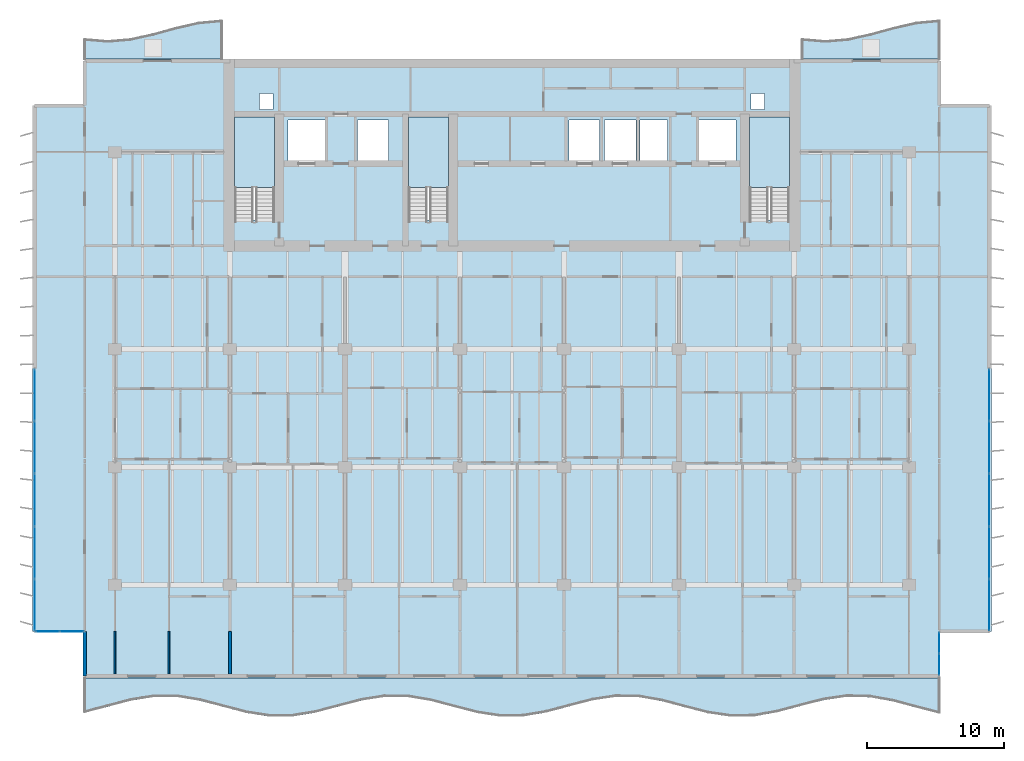
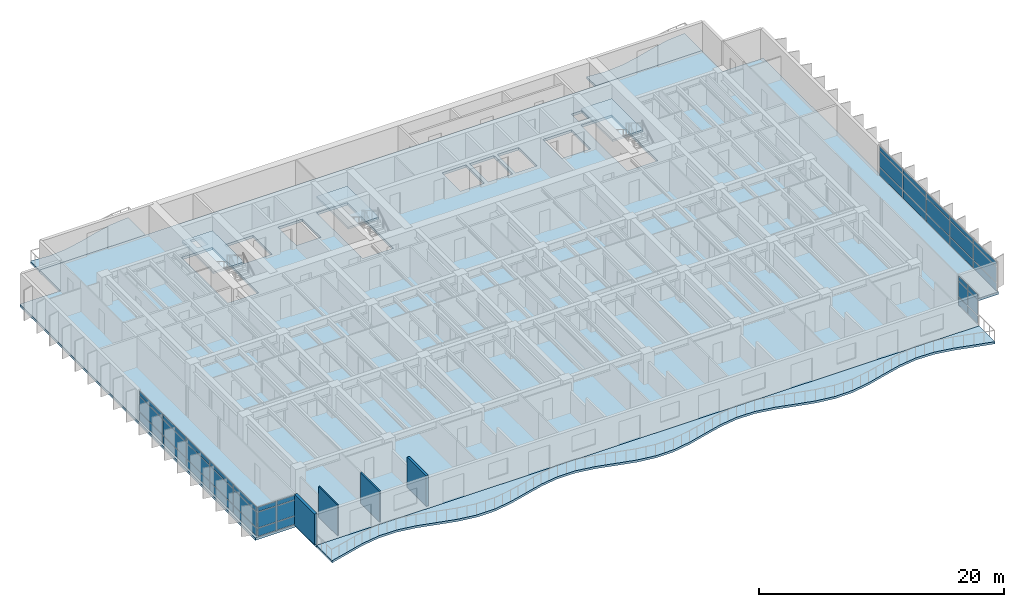
# One storey, part 5 of 18: 42 plates, 7 slabs, 4 walls, 7 elements without a shape of their own.
"""IFC4 building model written with IfcOpenShell, lengths in metres."""

from ifc_helpers import new_model, si_unit, direction, frame, frame_2d, origin, origin_2d, place, context, subcontext, project, spatial, polyline, rectangle, outline, extrude, material, layer, layer_set, type_object, element, aggregate, save


model = new_model("IFC4")

# Units and contexts
model_context = context("Model", 3, precision=1e-05, world=origin(), true_north=direction((0.0, 1.0)))
body_context = subcontext(model_context, "Body", "Model", "MODEL_VIEW")
ifc_project = project(units=[si_unit("LENGTHUNIT", "METRE"), si_unit("AREAUNIT", "SQUARE_METRE"), si_unit("VOLUMEUNIT", "CUBIC_METRE"), si_unit("PLANEANGLEUNIT", "RADIAN"), si_unit("MASSUNIT", "GRAM", prefix="KILO")], contexts=[model_context])

# Site, building, storey
site_placement = place(None, origin())
site = spatial("IfcSite", under=ifc_project, at=site_placement, CompositionType="ELEMENT")
building_placement = place(site_placement, origin())
building = spatial("IfcBuilding", under=site, at=building_placement, Name="Caelmar Bay Residences", CompositionType="ELEMENT")
storey_placement = place(building_placement, frame((0.0, 0.0, 122.39990234375)))
storey = spatial("IfcBuildingStorey", under=building, at=storey_placement, Name="L33", CompositionType="ELEMENT", Elevation=122.39990234375)

# Curtain wall, plates
ifc_material_1 = material(Name="Anodised bronze aluminium 6063-T6 and laminated glass", Category="aluminium")
ifc_layer_1 = layer(ifc_material_1, 0.179931640625)
ifc_layer_set_1 = layer_set([ifc_layer_1], Name="Anodised bronze aluminium 6063-T6 and laminated glass")
curtain_wall_type_1 = type_object("IfcCurtainWallType", Name="CW6-NTC", PredefinedType="NOTDEFINED", material=ifc_layer_set_1)
curtain_wall_1_placement = place(storey_placement, origin())
curtain_wall_1 = element("IfcCurtainWall", 1, at=curtain_wall_1_placement, inside=storey, type_object=curtain_wall_type_1, Name="CW6 curtain wall L33", PredefinedType="NOTDEFINED")
ifc_material_2 = material(Name="Bronze-tinted laminated low-E hurricane glass 28 mm", Category="glass")
ifc_layer_2 = layer(ifc_material_2, 0.028076171875)
ifc_layer_set_2 = layer_set([ifc_layer_2], Name="Bronze-tinted laminated low-E hurricane glass 28 mm")
plate_type = type_object("IfcPlateType", Name="CWP-GLZ28", PredefinedType="CURTAIN_PANEL", material=ifc_layer_set_2)
plate_1_placement = place(storey_placement, frame((4.982421875, 8.800048828125, 0.080078125), z_axis=(0.0, 0.0, 1.0), x_axis=(1.0, 0.0, 0.0)))
plate_1 = element("IfcPlate", 2, at=plate_1_placement, type_object=plate_type, Name="CW6 panel 1.1", PredefinedType="CURTAIN_PANEL", context=body_context, shape_type="SweptSolid", body=[
    extrude(rectangle(XDim=1.705078125, YDim=0.028076171875, at=origin_2d()), origin(), (0.0, 0.0, 1.0), 0.780029296875),
])
plate_2_placement = place(storey_placement, frame((4.982421875, 8.800048828125, 0.940185546875), z_axis=(0.0, 0.0, 1.0), x_axis=(1.0, 0.0, 0.0)))
plate_2 = element("IfcPlate", 3, at=plate_2_placement, type_object=plate_type, Name="CW6 panel 1.2", PredefinedType="CURTAIN_PANEL", context=body_context, shape_type="SweptSolid", body=[
    extrude(rectangle(XDim=1.705078125, YDim=0.028076171875, at=origin_2d()), origin(), (0.0, 0.0, 1.0), 1.52001953125),
])
plate_3_placement = place(storey_placement, frame((4.982421875, 8.800048828125, 2.5400390625), z_axis=(0.0, 0.0, 1.0), x_axis=(1.0, 0.0, 0.0)))
plate_3 = element("IfcPlate", 4, at=plate_3_placement, type_object=plate_type, Name="CW6 panel 1.3", PredefinedType="CURTAIN_PANEL", context=body_context, shape_type="SweptSolid", body=[
    extrude(rectangle(XDim=1.705078125, YDim=0.028076171875, at=origin_2d()), origin(), (0.0, 0.0, 1.0), 0.429931640625),
])
plate_4_placement = place(storey_placement, frame((6.767578125, 8.800048828125, 0.080078125), z_axis=(0.0, 0.0, 1.0), x_axis=(1.0, 0.0, 0.0)))
plate_4 = element("IfcPlate", 5, at=plate_4_placement, type_object=plate_type, Name="CW6 panel 2.1", PredefinedType="CURTAIN_PANEL", context=body_context, shape_type="SweptSolid", body=[
    extrude(rectangle(XDim=1.705078125, YDim=0.028076171875, at=origin_2d()), origin(), (0.0, 0.0, 1.0), 0.780029296875),
])
plate_5_placement = place(storey_placement, frame((6.767578125, 8.800048828125, 0.940185546875), z_axis=(0.0, 0.0, 1.0), x_axis=(1.0, 0.0, 0.0)))
plate_5 = element("IfcPlate", 6, at=plate_5_placement, type_object=plate_type, Name="CW6 panel 2.2", PredefinedType="CURTAIN_PANEL", context=body_context, shape_type="SweptSolid", body=[
    extrude(rectangle(XDim=1.705078125, YDim=0.028076171875, at=origin_2d()), origin(), (0.0, 0.0, 1.0), 1.52001953125),
])
plate_6_placement = place(storey_placement, frame((6.767578125, 8.800048828125, 2.5400390625), z_axis=(0.0, 0.0, 1.0), x_axis=(1.0, 0.0, 0.0)))
plate_6 = element("IfcPlate", 7, at=plate_6_placement, type_object=plate_type, Name="CW6 panel 2.3", PredefinedType="CURTAIN_PANEL", context=body_context, shape_type="SweptSolid", body=[
    extrude(rectangle(XDim=1.705078125, YDim=0.028076171875, at=origin_2d()), origin(), (0.0, 0.0, 1.0), 0.429931640625),
])
aggregate(curtain_wall_1, [plate_1, plate_2, plate_3, plate_4, plate_5, plate_6])

curtain_wall_2_placement = place(storey_placement, origin())
curtain_wall_2 = element("IfcCurtainWall", 8, at=curtain_wall_2_placement, inside=storey, type_object=curtain_wall_type_1, Name="CW6 curtain wall L33", PredefinedType="NOTDEFINED")
plate_7_placement = place(storey_placement, frame((70.10009765625, 6.382568359375, 0.080078125), z_axis=(0.0, 0.0, 1.0), x_axis=(0.0, 1.0, 0.0)))
plate_7 = element("IfcPlate", 9, at=plate_7_placement, type_object=plate_type, Name="CW6 panel 1.1", PredefinedType="CURTAIN_PANEL", context=body_context, shape_type="SweptSolid", body=[
    extrude(rectangle(XDim=1.5048828125, YDim=0.028076171875, at=origin_2d()), origin(), (0.0, 0.0, 1.0), 0.780029296875),
])
plate_8_placement = place(storey_placement, frame((70.10009765625, 6.382568359375, 0.940185546875), z_axis=(0.0, 0.0, 1.0), x_axis=(0.0, 1.0, 0.0)))
plate_8 = element("IfcPlate", 10, at=plate_8_placement, type_object=plate_type, Name="CW6 panel 1.2", PredefinedType="CURTAIN_PANEL", context=body_context, shape_type="SweptSolid", body=[
    extrude(rectangle(XDim=1.5048828125, YDim=0.028076171875, at=origin_2d()), origin(), (0.0, 0.0, 1.0), 1.52001953125),
])
plate_9_placement = place(storey_placement, frame((70.10009765625, 6.382568359375, 2.5400390625), z_axis=(0.0, 0.0, 1.0), x_axis=(0.0, 1.0, 0.0)))
plate_9 = element("IfcPlate", 11, at=plate_9_placement, type_object=plate_type, Name="CW6 panel 1.3", PredefinedType="CURTAIN_PANEL", context=body_context, shape_type="SweptSolid", body=[
    extrude(rectangle(XDim=1.5048828125, YDim=0.028076171875, at=origin_2d()), origin(), (0.0, 0.0, 1.0), 0.429931640625),
])
plate_10_placement = place(storey_placement, frame((70.10009765625, 7.967529296875, 0.080078125), z_axis=(0.0, 0.0, 1.0), x_axis=(0.0, 1.0, 0.0)))
plate_10 = element("IfcPlate", 12, at=plate_10_placement, type_object=plate_type, Name="CW6 panel 2.1", PredefinedType="CURTAIN_PANEL", context=body_context, shape_type="SweptSolid", body=[
    extrude(rectangle(XDim=1.5048828125, YDim=0.028076171875, at=origin_2d()), origin(), (0.0, 0.0, 1.0), 0.780029296875),
])
plate_11_placement = place(storey_placement, frame((70.10009765625, 7.967529296875, 0.940185546875), z_axis=(0.0, 0.0, 1.0), x_axis=(0.0, 1.0, 0.0)))
plate_11 = element("IfcPlate", 13, at=plate_11_placement, type_object=plate_type, Name="CW6 panel 2.2", PredefinedType="CURTAIN_PANEL", context=body_context, shape_type="SweptSolid", body=[
    extrude(rectangle(XDim=1.5048828125, YDim=0.028076171875, at=origin_2d()), origin(), (0.0, 0.0, 1.0), 1.52001953125),
])
plate_12_placement = place(storey_placement, frame((70.10009765625, 7.967529296875, 2.5400390625), z_axis=(0.0, 0.0, 1.0), x_axis=(0.0, 1.0, 0.0)))
plate_12 = element("IfcPlate", 14, at=plate_12_placement, type_object=plate_type, Name="CW6 panel 2.3", PredefinedType="CURTAIN_PANEL", context=body_context, shape_type="SweptSolid", body=[
    extrude(rectangle(XDim=1.5048828125, YDim=0.028076171875, at=origin_2d()), origin(), (0.0, 0.0, 1.0), 0.429931640625),
])
aggregate(curtain_wall_2, [plate_7, plate_8, plate_9, plate_10, plate_11, plate_12])

ifc_layer_3 = layer(ifc_material_1, 0.179931640625)
ifc_layer_set_3 = layer_set([ifc_layer_3], Name="Anodised bronze aluminium 6063-T6 and laminated glass")
curtain_wall_type_2 = type_object("IfcCurtainWallType", Name="CW3-Z2", PredefinedType="NOTDEFINED", material=ifc_layer_set_3)
curtain_wall_3_placement = place(storey_placement, origin())
curtain_wall_3 = element("IfcCurtainWall", 15, at=curtain_wall_3_placement, inside=storey, type_object=curtain_wall_type_2, Name="CW3 curtain wall L33", PredefinedType="NOTDEFINED")
plate_13_placement = place(storey_placement, frame((4.050048828125, 10.739990234375, 0.080078125), z_axis=(0.0, 0.0, 1.0), x_axis=(0.0, 1.0, 0.0)))
plate_13 = element("IfcPlate", 16, at=plate_13_placement, type_object=plate_type, Name="CW3 panel 1.1", PredefinedType="CURTAIN_PANEL", context=body_context, shape_type="SweptSolid", body=[
    extrude(rectangle(XDim=3.719970703125, YDim=0.028076171875, at=origin_2d()), origin(), (0.0, 0.0, 1.0), 0.780029296875),
])
plate_14_placement = place(storey_placement, frame((4.050048828125, 10.739990234375, 0.940185546875), z_axis=(0.0, 0.0, 1.0), x_axis=(0.0, 1.0, 0.0)))
plate_14 = element("IfcPlate", 17, at=plate_14_placement, type_object=plate_type, Name="CW3 panel 1.2", PredefinedType="CURTAIN_PANEL", context=body_context, shape_type="SweptSolid", body=[
    extrude(rectangle(XDim=3.719970703125, YDim=0.028076171875, at=origin_2d()), origin(), (0.0, 0.0, 1.0), 1.52001953125),
])
plate_15_placement = place(storey_placement, frame((4.050048828125, 10.739990234375, 2.5400390625), z_axis=(0.0, 0.0, 1.0), x_axis=(0.0, 1.0, 0.0)))
plate_15 = element("IfcPlate", 18, at=plate_15_placement, type_object=plate_type, Name="CW3 panel 1.3", PredefinedType="CURTAIN_PANEL", context=body_context, shape_type="SweptSolid", body=[
    extrude(rectangle(XDim=3.719970703125, YDim=0.028076171875, at=origin_2d()), origin(), (0.0, 0.0, 1.0), 0.429931640625),
])
plate_16_placement = place(storey_placement, frame((4.050048828125, 14.56005859375, 0.080078125), z_axis=(0.0, 0.0, 1.0), x_axis=(0.0, 1.0, 0.0)))
plate_16 = element("IfcPlate", 19, at=plate_16_placement, type_object=plate_type, Name="CW3 panel 2.1", PredefinedType="CURTAIN_PANEL", context=body_context, shape_type="SweptSolid", body=[
    extrude(rectangle(XDim=3.760009765625, YDim=0.028076171875, at=origin_2d()), origin(), (0.0, 0.0, 1.0), 0.780029296875),
])
plate_17_placement = place(storey_placement, frame((4.050048828125, 14.56005859375, 0.940185546875), z_axis=(0.0, 0.0, 1.0), x_axis=(0.0, 1.0, 0.0)))
plate_17 = element("IfcPlate", 20, at=plate_17_placement, type_object=plate_type, Name="CW3 panel 2.2", PredefinedType="CURTAIN_PANEL", context=body_context, shape_type="SweptSolid", body=[
    extrude(rectangle(XDim=3.760009765625, YDim=0.028076171875, at=origin_2d()), origin(), (0.0, 0.0, 1.0), 1.52001953125),
])
plate_18_placement = place(storey_placement, frame((4.050048828125, 14.56005859375, 2.5400390625), z_axis=(0.0, 0.0, 1.0), x_axis=(0.0, 1.0, 0.0)))
plate_18 = element("IfcPlate", 21, at=plate_18_placement, type_object=plate_type, Name="CW3 panel 2.3", PredefinedType="CURTAIN_PANEL", context=body_context, shape_type="SweptSolid", body=[
    extrude(rectangle(XDim=3.760009765625, YDim=0.028076171875, at=origin_2d()), origin(), (0.0, 0.0, 1.0), 0.429931640625),
])
plate_19_placement = place(storey_placement, frame((4.050048828125, 18.39990234375, 0.080078125), z_axis=(0.0, 0.0, 1.0), x_axis=(0.0, 1.0, 0.0)))
plate_19 = element("IfcPlate", 22, at=plate_19_placement, type_object=plate_type, Name="CW3 panel 3.1", PredefinedType="CURTAIN_PANEL", context=body_context, shape_type="SweptSolid", body=[
    extrude(rectangle(XDim=3.760009765625, YDim=0.028076171875, at=origin_2d()), origin(), (0.0, 0.0, 1.0), 0.780029296875),
])
plate_20_placement = place(storey_placement, frame((4.050048828125, 18.39990234375, 0.940185546875), z_axis=(0.0, 0.0, 1.0), x_axis=(0.0, 1.0, 0.0)))
plate_20 = element("IfcPlate", 23, at=plate_20_placement, type_object=plate_type, Name="CW3 panel 3.2", PredefinedType="CURTAIN_PANEL", context=body_context, shape_type="SweptSolid", body=[
    extrude(rectangle(XDim=3.760009765625, YDim=0.028076171875, at=origin_2d()), origin(), (0.0, 0.0, 1.0), 1.52001953125),
])
plate_21_placement = place(storey_placement, frame((4.050048828125, 18.39990234375, 2.5400390625), z_axis=(0.0, 0.0, 1.0), x_axis=(0.0, 1.0, 0.0)))
plate_21 = element("IfcPlate", 24, at=plate_21_placement, type_object=plate_type, Name="CW3 panel 3.3", PredefinedType="CURTAIN_PANEL", context=body_context, shape_type="SweptSolid", body=[
    extrude(rectangle(XDim=3.760009765625, YDim=0.028076171875, at=origin_2d()), origin(), (0.0, 0.0, 1.0), 0.429931640625),
])
plate_22_placement = place(storey_placement, frame((4.050048828125, 22.239990234375, 0.080078125), z_axis=(0.0, 0.0, 1.0), x_axis=(0.0, 1.0, 0.0)))
plate_22 = element("IfcPlate", 25, at=plate_22_placement, type_object=plate_type, Name="CW3 panel 4.1", PredefinedType="CURTAIN_PANEL", context=body_context, shape_type="SweptSolid", body=[
    extrude(rectangle(XDim=3.760009765625, YDim=0.028076171875, at=origin_2d()), origin(), (0.0, 0.0, 1.0), 0.780029296875),
])
plate_23_placement = place(storey_placement, frame((4.050048828125, 22.239990234375, 0.940185546875), z_axis=(0.0, 0.0, 1.0), x_axis=(0.0, 1.0, 0.0)))
plate_23 = element("IfcPlate", 26, at=plate_23_placement, type_object=plate_type, Name="CW3 panel 4.2", PredefinedType="CURTAIN_PANEL", context=body_context, shape_type="SweptSolid", body=[
    extrude(rectangle(XDim=3.760009765625, YDim=0.028076171875, at=origin_2d()), origin(), (0.0, 0.0, 1.0), 1.52001953125),
])
plate_24_placement = place(storey_placement, frame((4.050048828125, 22.239990234375, 2.5400390625), z_axis=(0.0, 0.0, 1.0), x_axis=(0.0, 1.0, 0.0)))
plate_24 = element("IfcPlate", 27, at=plate_24_placement, type_object=plate_type, Name="CW3 panel 4.3", PredefinedType="CURTAIN_PANEL", context=body_context, shape_type="SweptSolid", body=[
    extrude(rectangle(XDim=3.760009765625, YDim=0.028076171875, at=origin_2d()), origin(), (0.0, 0.0, 1.0), 0.429931640625),
])
plate_25_placement = place(storey_placement, frame((4.050048828125, 26.06005859375, 0.080078125), z_axis=(0.0, 0.0, 1.0), x_axis=(0.0, 1.0, 0.0)))
plate_25 = element("IfcPlate", 28, at=plate_25_placement, type_object=plate_type, Name="CW3 panel 5.1", PredefinedType="CURTAIN_PANEL", context=body_context, shape_type="SweptSolid", body=[
    extrude(rectangle(XDim=3.719970703125, YDim=0.028076171875, at=origin_2d()), origin(), (0.0, 0.0, 1.0), 0.780029296875),
])
plate_26_placement = place(storey_placement, frame((4.050048828125, 26.06005859375, 0.940185546875), z_axis=(0.0, 0.0, 1.0), x_axis=(0.0, 1.0, 0.0)))
plate_26 = element("IfcPlate", 29, at=plate_26_placement, type_object=plate_type, Name="CW3 panel 5.2", PredefinedType="CURTAIN_PANEL", context=body_context, shape_type="SweptSolid", body=[
    extrude(rectangle(XDim=3.719970703125, YDim=0.028076171875, at=origin_2d()), origin(), (0.0, 0.0, 1.0), 1.52001953125),
])
plate_27_placement = place(storey_placement, frame((4.050048828125, 26.06005859375, 2.5400390625), z_axis=(0.0, 0.0, 1.0), x_axis=(0.0, 1.0, 0.0)))
plate_27 = element("IfcPlate", 30, at=plate_27_placement, type_object=plate_type, Name="CW3 panel 5.3", PredefinedType="CURTAIN_PANEL", context=body_context, shape_type="SweptSolid", body=[
    extrude(rectangle(XDim=3.719970703125, YDim=0.028076171875, at=origin_2d()), origin(), (0.0, 0.0, 1.0), 0.429931640625),
])
aggregate(curtain_wall_3, [plate_13, plate_14, plate_15, plate_16, plate_17, plate_18, plate_19, plate_20, plate_21, plate_22, plate_23, plate_24, plate_25, plate_26, plate_27])

curtain_wall_4_placement = place(storey_placement, origin())
curtain_wall_4 = element("IfcCurtainWall", 31, at=curtain_wall_4_placement, inside=storey, type_object=curtain_wall_type_2, Name="CW3 curtain wall L33", PredefinedType="NOTDEFINED")
plate_28_placement = place(storey_placement, frame((73.75, 26.06005859375, 0.080078125), z_axis=(0.0, 0.0, 1.0), x_axis=(0.0, -1.0, 0.0)))
plate_28 = element("IfcPlate", 32, at=plate_28_placement, type_object=plate_type, Name="CW3 panel 1.1", PredefinedType="CURTAIN_PANEL", context=body_context, shape_type="SweptSolid", body=[
    extrude(rectangle(XDim=3.719970703125, YDim=0.028076171875, at=origin_2d()), origin(), (0.0, 0.0, 1.0), 0.780029296875),
])
plate_29_placement = place(storey_placement, frame((73.75, 26.06005859375, 0.940185546875), z_axis=(0.0, 0.0, 1.0), x_axis=(0.0, -1.0, 0.0)))
plate_29 = element("IfcPlate", 33, at=plate_29_placement, type_object=plate_type, Name="CW3 panel 1.2", PredefinedType="CURTAIN_PANEL", context=body_context, shape_type="SweptSolid", body=[
    extrude(rectangle(XDim=3.719970703125, YDim=0.028076171875, at=origin_2d()), origin(), (0.0, 0.0, 1.0), 1.52001953125),
])
plate_30_placement = place(storey_placement, frame((73.75, 26.06005859375, 2.5400390625), z_axis=(0.0, 0.0, 1.0), x_axis=(0.0, -1.0, 0.0)))
plate_30 = element("IfcPlate", 34, at=plate_30_placement, type_object=plate_type, Name="CW3 panel 1.3", PredefinedType="CURTAIN_PANEL", context=body_context, shape_type="SweptSolid", body=[
    extrude(rectangle(XDim=3.719970703125, YDim=0.028076171875, at=origin_2d()), origin(), (0.0, 0.0, 1.0), 0.429931640625),
])
plate_31_placement = place(storey_placement, frame((73.75, 22.239990234375, 0.080078125), z_axis=(0.0, 0.0, 1.0), x_axis=(0.0, -1.0, 0.0)))
plate_31 = element("IfcPlate", 35, at=plate_31_placement, type_object=plate_type, Name="CW3 panel 2.1", PredefinedType="CURTAIN_PANEL", context=body_context, shape_type="SweptSolid", body=[
    extrude(rectangle(XDim=3.760009765625, YDim=0.028076171875, at=origin_2d()), origin(), (0.0, 0.0, 1.0), 0.780029296875),
])
plate_32_placement = place(storey_placement, frame((73.75, 22.239990234375, 0.940185546875), z_axis=(0.0, 0.0, 1.0), x_axis=(0.0, -1.0, 0.0)))
plate_32 = element("IfcPlate", 36, at=plate_32_placement, type_object=plate_type, Name="CW3 panel 2.2", PredefinedType="CURTAIN_PANEL", context=body_context, shape_type="SweptSolid", body=[
    extrude(rectangle(XDim=3.760009765625, YDim=0.028076171875, at=origin_2d()), origin(), (0.0, 0.0, 1.0), 1.52001953125),
])
plate_33_placement = place(storey_placement, frame((73.75, 22.239990234375, 2.5400390625), z_axis=(0.0, 0.0, 1.0), x_axis=(0.0, -1.0, 0.0)))
plate_33 = element("IfcPlate", 37, at=plate_33_placement, type_object=plate_type, Name="CW3 panel 2.3", PredefinedType="CURTAIN_PANEL", context=body_context, shape_type="SweptSolid", body=[
    extrude(rectangle(XDim=3.760009765625, YDim=0.028076171875, at=origin_2d()), origin(), (0.0, 0.0, 1.0), 0.429931640625),
])
plate_34_placement = place(storey_placement, frame((73.75, 18.39990234375, 0.080078125), z_axis=(0.0, 0.0, 1.0), x_axis=(0.0, -1.0, 0.0)))
plate_34 = element("IfcPlate", 38, at=plate_34_placement, type_object=plate_type, Name="CW3 panel 3.1", PredefinedType="CURTAIN_PANEL", context=body_context, shape_type="SweptSolid", body=[
    extrude(rectangle(XDim=3.760009765625, YDim=0.028076171875, at=origin_2d()), origin(), (0.0, 0.0, 1.0), 0.780029296875),
])
plate_35_placement = place(storey_placement, frame((73.75, 18.39990234375, 0.940185546875), z_axis=(0.0, 0.0, 1.0), x_axis=(0.0, -1.0, 0.0)))
plate_35 = element("IfcPlate", 39, at=plate_35_placement, type_object=plate_type, Name="CW3 panel 3.2", PredefinedType="CURTAIN_PANEL", context=body_context, shape_type="SweptSolid", body=[
    extrude(rectangle(XDim=3.760009765625, YDim=0.028076171875, at=origin_2d()), origin(), (0.0, 0.0, 1.0), 1.52001953125),
])
plate_36_placement = place(storey_placement, frame((73.75, 18.39990234375, 2.5400390625), z_axis=(0.0, 0.0, 1.0), x_axis=(0.0, -1.0, 0.0)))
plate_36 = element("IfcPlate", 40, at=plate_36_placement, type_object=plate_type, Name="CW3 panel 3.3", PredefinedType="CURTAIN_PANEL", context=body_context, shape_type="SweptSolid", body=[
    extrude(rectangle(XDim=3.760009765625, YDim=0.028076171875, at=origin_2d()), origin(), (0.0, 0.0, 1.0), 0.429931640625),
])
plate_37_placement = place(storey_placement, frame((73.75, 14.56005859375, 0.080078125), z_axis=(0.0, 0.0, 1.0), x_axis=(0.0, -1.0, 0.0)))
plate_37 = element("IfcPlate", 41, at=plate_37_placement, type_object=plate_type, Name="CW3 panel 4.1", PredefinedType="CURTAIN_PANEL", context=body_context, shape_type="SweptSolid", body=[
    extrude(rectangle(XDim=3.760009765625, YDim=0.028076171875, at=origin_2d()), origin(), (0.0, 0.0, 1.0), 0.780029296875),
])
plate_38_placement = place(storey_placement, frame((73.75, 14.56005859375, 0.940185546875), z_axis=(0.0, 0.0, 1.0), x_axis=(0.0, -1.0, 0.0)))
plate_38 = element("IfcPlate", 42, at=plate_38_placement, type_object=plate_type, Name="CW3 panel 4.2", PredefinedType="CURTAIN_PANEL", context=body_context, shape_type="SweptSolid", body=[
    extrude(rectangle(XDim=3.760009765625, YDim=0.028076171875, at=origin_2d()), origin(), (0.0, 0.0, 1.0), 1.52001953125),
])
plate_39_placement = place(storey_placement, frame((73.75, 14.56005859375, 2.5400390625), z_axis=(0.0, 0.0, 1.0), x_axis=(0.0, -1.0, 0.0)))
plate_39 = element("IfcPlate", 43, at=plate_39_placement, type_object=plate_type, Name="CW3 panel 4.3", PredefinedType="CURTAIN_PANEL", context=body_context, shape_type="SweptSolid", body=[
    extrude(rectangle(XDim=3.760009765625, YDim=0.028076171875, at=origin_2d()), origin(), (0.0, 0.0, 1.0), 0.429931640625),
])
plate_40_placement = place(storey_placement, frame((73.75, 10.739990234375, 0.080078125), z_axis=(0.0, 0.0, 1.0), x_axis=(0.0, -1.0, 0.0)))
plate_40 = element("IfcPlate", 44, at=plate_40_placement, type_object=plate_type, Name="CW3 panel 5.1", PredefinedType="CURTAIN_PANEL", context=body_context, shape_type="SweptSolid", body=[
    extrude(rectangle(XDim=3.719970703125, YDim=0.028076171875, at=origin_2d()), origin(), (0.0, 0.0, 1.0), 0.780029296875),
])
plate_41_placement = place(storey_placement, frame((73.75, 10.739990234375, 0.940185546875), z_axis=(0.0, 0.0, 1.0), x_axis=(0.0, -1.0, 0.0)))
plate_41 = element("IfcPlate", 45, at=plate_41_placement, type_object=plate_type, Name="CW3 panel 5.2", PredefinedType="CURTAIN_PANEL", context=body_context, shape_type="SweptSolid", body=[
    extrude(rectangle(XDim=3.719970703125, YDim=0.028076171875, at=origin_2d()), origin(), (0.0, 0.0, 1.0), 1.52001953125),
])
plate_42_placement = place(storey_placement, frame((73.75, 10.739990234375, 2.5400390625), z_axis=(0.0, 0.0, 1.0), x_axis=(0.0, -1.0, 0.0)))
plate_42 = element("IfcPlate", 46, at=plate_42_placement, type_object=plate_type, Name="CW3 panel 5.3", PredefinedType="CURTAIN_PANEL", context=body_context, shape_type="SweptSolid", body=[
    extrude(rectangle(XDim=3.719970703125, YDim=0.028076171875, at=origin_2d()), origin(), (0.0, 0.0, 1.0), 0.429931640625),
])
aggregate(curtain_wall_4, [plate_28, plate_29, plate_30, plate_31, plate_32, plate_33, plate_34, plate_35, plate_36, plate_37, plate_38, plate_39, plate_40, plate_41, plate_42])

# Slabs
ifc_material_3 = material(Name="Concrete f'c 40 MPa (6,000 psi)", Category="concrete")
ifc_layer_4 = layer(ifc_material_3, 0.219970703125)
ifc_layer_set_4 = layer_set([ifc_layer_4], Name="Concrete f'c 40 MPa (6,000 psi)")
slab_type_1 = type_object("IfcSlabType", Name="SLB-BAL-220", PredefinedType="FLOOR", material=ifc_layer_set_4)
slab_1_placement = place(storey_placement, frame((0.0, 0.0, -0.219970703125)))
element("IfcSlab", 47, at=slab_1_placement, inside=storey, type_object=slab_type_1, Name="L33 Sinusoidal Tree-Balcony Slab south", PredefinedType="FLOOR", context=body_context, shape_type="SweptSolid", body=[
    extrude(outline(polyline([(7.699951171875, 2.859130859375), (9.386474609375, 3.3017578125), (11.072998046875, 3.743896484375), (12.759521484375, 4.014892578125), (14.44580078125, 4.010986328125), (16.13232421875, 3.7333984375), (17.81884765625, 3.2890625), (19.50537109375, 2.848876953125), (21.19189453125, 2.582275390625), (22.87841796875, 2.591796875), (24.56494140625, 2.8740234375), (26.25146484375, 3.320068359375), (27.937744140625, 3.75830078125), (29.624267578125, 4.020263671875), (31.310791015625, 4.0048828125), (32.997314453125, 3.718505859375), (34.683837890625, 3.27099609375), (36.370361328125, 2.83447265625), (38.056884765625, 2.577392578125), (39.7431640625, 2.59814453125), (41.4296875, 2.88916015625), (43.1162109375, 3.338134765625), (44.802734375, 3.772705078125), (46.4892578125, 4.025146484375), (48.17578125, 3.99853515625), (49.8623046875, 3.703125), (51.548583984375, 3.252685546875), (53.235107421875, 2.8203125), (54.921630859375, 2.572509765625), (56.608154296875, 2.604736328125), (58.294677734375, 2.904296875), (59.981201171875, 3.3564453125), (61.66748046875, 3.78662109375), (63.35400390625, 4.029541015625), (65.04052734375, 3.99169921875), (66.72705078125, 3.687744140625), (68.41357421875, 3.234619140625), (70.10009765625, 2.806396484375), (70.10009765625, 5.39990234375), (7.699951171875, 5.39990234375), (7.699951171875, 2.859130859375)])), origin(), (0.0, 0.0, 1.0), 0.219970703125),
])
slab_2_placement = place(storey_placement, frame((0.0, 0.0, -0.219970703125)))
element("IfcSlab", 48, at=slab_2_placement, inside=storey, type_object=slab_type_1, Name="L33 Sinusoidal Tree-Balcony Slab north_west", PredefinedType="FLOOR", context=body_context, shape_type="SweptSolid", body=[
    extrude(outline(polyline([(7.699951171875, 50.60009765625), (17.699951171875, 50.60009765625), (17.699951171875, 53.44970703125), (16.033203125, 53.295654296875), (14.36669921875, 52.91748046875), (12.699951171875, 52.45751953125), (11.033203125, 52.0888671875), (9.36669921875, 51.949951171875), (7.699951171875, 52.09326171875), (7.699951171875, 50.60009765625)])), origin(), (0.0, 0.0, 1.0), 0.219970703125),
])
slab_3_placement = place(storey_placement, frame((0.0, 0.0, -0.219970703125)))
element("IfcSlab", 49, at=slab_3_placement, inside=storey, type_object=slab_type_1, Name="L33 Sinusoidal Tree-Balcony Slab north_east", PredefinedType="FLOOR", context=body_context, shape_type="SweptSolid", body=[
    extrude(outline(polyline([(60.10009765625, 50.60009765625), (70.10009765625, 50.60009765625), (70.10009765625, 53.44970703125), (68.433349609375, 53.295654296875), (66.7666015625, 52.91748046875), (65.10009765625, 52.45751953125), (63.433349609375, 52.0888671875), (61.7666015625, 51.949951171875), (60.10009765625, 52.09326171875), (60.10009765625, 50.60009765625)])), origin(), (0.0, 0.0, 1.0), 0.219970703125),
])

# Stair, slab
stair_type = type_object("IfcStairType", Name="ST-TYP-165", PredefinedType="HALF_TURN_STAIR", material=ifc_material_3)
stair_1_placement = place(storey_placement, origin())
stair_1 = element("IfcStair", 50, at=stair_1_placement, inside=storey, type_object=stair_type, Name="L33 West Smokeproof Exit Stair ST1", PredefinedType="HALF_TURN_STAIR")
ifc_layer_5 = layer(ifc_material_3, 0.199951171875)
ifc_layer_set_5 = layer_set([ifc_layer_5], Name="Concrete f'c 40 MPa (6,000 psi)")
slab_type_2 = type_object("IfcSlabType", Name="SLB-LND-200", PredefinedType="LANDING", material=ifc_layer_set_5)
slab_4_placement = place(storey_placement, frame((0.0, 0.0, 1.4501953125)))
slab_4 = element("IfcSlab", 51, at=slab_4_placement, type_object=slab_type_2, Name="ST1 landing 1", PredefinedType="LANDING", context=body_context, shape_type="SweptSolid", body=[
    extrude(outline(polyline([(21.550048828125, 41.219970703125), (21.550048828125, 46.35009765625), (18.64990234375, 46.35009765625), (18.64990234375, 41.219970703125), (21.550048828125, 41.219970703125)])), origin(), (0.0, 0.0, 1.0), 0.199951171875),
])
aggregate(stair_1, [slab_4])

stair_2_placement = place(storey_placement, origin())
stair_2 = element("IfcStair", 52, at=stair_2_placement, inside=storey, type_object=stair_type, Name="L33 East Smokeproof Exit Stair ST2", PredefinedType="HALF_TURN_STAIR")
slab_5_placement = place(storey_placement, frame((0.0, 0.0, 1.4501953125)))
slab_5 = element("IfcSlab", 53, at=slab_5_placement, type_object=slab_type_2, Name="ST2 landing 1", PredefinedType="LANDING", context=body_context, shape_type="SweptSolid", body=[
    extrude(outline(polyline([(59.14990234375, 41.219970703125), (59.14990234375, 46.35009765625), (56.25, 46.35009765625), (56.25, 41.219970703125), (59.14990234375, 41.219970703125)])), origin(), (0.0, 0.0, 1.0), 0.199951171875),
])
aggregate(stair_2, [slab_5])

stair_3_placement = place(storey_placement, origin())
stair_3 = element("IfcStair", 54, at=stair_3_placement, inside=storey, type_object=stair_type, Name="L33 Central Smokeproof Exit Stair ST3", PredefinedType="HALF_TURN_STAIR")
slab_6_placement = place(storey_placement, frame((0.0, 0.0, 1.4501953125)))
slab_6 = element("IfcSlab", 55, at=slab_6_placement, type_object=slab_type_2, Name="ST3 landing 1", PredefinedType="LANDING", context=body_context, shape_type="SweptSolid", body=[
    extrude(outline(polyline([(34.25, 41.219970703125), (34.25, 46.35009765625), (31.35009765625, 46.35009765625), (31.35009765625, 41.219970703125), (34.25, 41.219970703125)])), origin(), (0.0, 0.0, 1.0), 0.199951171875),
])
aggregate(stair_3, [slab_6])

# Slab
ifc_layer_6 = layer(ifc_material_3, 0.25)
ifc_layer_set_6 = layer_set([ifc_layer_6], Name="Concrete f'c 40 MPa (6,000 psi)")
slab_type_3 = type_object("IfcSlabType", Name="SLB-RES-250", PredefinedType="FLOOR", material=ifc_layer_set_6)
slab_7_placement = place(storey_placement, frame((0.0, 0.0, -0.25)))
element("IfcSlab", 56, at=slab_7_placement, inside=storey, type_object=slab_type_3, Name="L33 Structural Floor Slab", PredefinedType="FLOOR", context=body_context, shape_type="SweptSolid", body=[
    extrude(outline(polyline([(7.699951171875, 5.39990234375), (70.10009765625, 5.39990234375), (70.10009765625, 8.800048828125), (73.89990234375, 8.800048828125), (73.89990234375, 47.199951171875), (70.10009765625, 47.199951171875), (70.10009765625, 50.60009765625), (7.699951171875, 50.60009765625), (7.699951171875, 47.199951171875), (3.89990234375, 47.199951171875), (3.89990234375, 8.800048828125), (7.699951171875, 8.800048828125), (7.699951171875, 5.39990234375)]), holes=[polyline([(18.64990234375, 38.85009765625), (21.550048828125, 38.85009765625), (21.550048828125, 46.35009765625), (18.64990234375, 46.35009765625), (18.64990234375, 38.85009765625)]), polyline([(56.25, 38.85009765625), (59.14990234375, 38.85009765625), (59.14990234375, 46.35009765625), (56.25, 46.35009765625), (56.25, 38.85009765625)]), polyline([(31.35009765625, 38.85009765625), (34.25, 38.85009765625), (34.25, 46.35009765625), (31.35009765625, 46.35009765625), (31.35009765625, 38.85009765625)]), polyline([(22.550048828125, 43.050048828125), (25.25, 43.050048828125), (25.25, 46.14990234375), (22.550048828125, 46.14990234375), (22.550048828125, 43.050048828125)]), polyline([(52.550048828125, 43.050048828125), (55.25, 43.050048828125), (55.25, 46.14990234375), (52.550048828125, 46.14990234375), (52.550048828125, 43.050048828125)]), polyline([(43.050048828125, 43.14990234375), (45.300048828125, 43.14990234375), (45.300048828125, 46.14990234375), (43.050048828125, 46.14990234375), (43.050048828125, 43.14990234375)]), polyline([(45.64990234375, 43.14990234375), (47.949951171875, 43.14990234375), (47.949951171875, 46.14990234375), (45.64990234375, 46.14990234375), (45.64990234375, 43.14990234375)]), polyline([(48.25, 43.14990234375), (50.25, 43.14990234375), (50.25, 46.14990234375), (48.25, 46.14990234375), (48.25, 43.14990234375)]), polyline([(27.60009765625, 43.14990234375), (29.89990234375, 43.14990234375), (29.89990234375, 46.14990234375), (27.60009765625, 46.14990234375), (27.60009765625, 43.14990234375)]), polyline([(20.449951171875, 46.89990234375), (21.449951171875, 46.89990234375), (21.449951171875, 48.10009765625), (20.449951171875, 48.10009765625), (20.449951171875, 46.89990234375)]), polyline([(56.35009765625, 46.89990234375), (57.35009765625, 46.89990234375), (57.35009765625, 48.10009765625), (56.35009765625, 48.10009765625), (56.35009765625, 46.89990234375)])]), origin(), (0.0, 0.0, 1.0), 0.25),
])

# Walls
ifc_material_4 = material(Name="Precast concrete f'c 40 MPa (6,000 psi)", Category="concrete")
ifc_layer_7 = layer(ifc_material_4, 0.25)
ifc_layer_set_7 = layer_set([ifc_layer_7], Name="Precast concrete f'c 40 MPa (6,000 psi)")
wall_type_1 = type_object("IfcWallType", Name="W-EXT-250", PredefinedType="ELEMENTEDWALL", material=ifc_layer_set_7)
wall_1_placement = place(storey_placement, frame((7.699951171875, 8.800048828125, 0.0), z_axis=(0.0, 0.0, 1.0), x_axis=(0.0, -1.0, 0.0)))
element("IfcWall", 57, at=wall_1_placement, inside=storey, type_object=wall_type_1, Name="L33 SW Notch Return Wall", PredefinedType="ELEMENTEDWALL", context=body_context, shape_type="SweptSolid", body=[
    extrude(rectangle(XDim=3.25, YDim=0.25, at=frame_2d((1.625, 0.0))), origin(), (0.0, 0.0, 1.0), 3.050048828125),
])
ifc_material_5 = material(Name="Acoustic metal-stud gypsum partition 120 mm")
ifc_layer_8 = layer(ifc_material_5, 0.1201171875)
ifc_layer_set_8 = layer_set([ifc_layer_8], Name="Acoustic metal-stud gypsum partition 120 mm")
wall_type_2 = type_object("IfcWallType", Name="W-PRT-120", PredefinedType="PARTITIONING", material=ifc_layer_set_8)
for number, where, z_axis, x_axis, name in (
    (58, (9.89990234375, 5.695068359375, 0.0), (0.0, 0.0, 1.0), (0.0, 1.0, 0.0), "L33 Partition Wall V009"),
    (59, (13.847900390625, 5.695068359375, 0.0), (0.0, 0.0, 1.0), (0.0, 1.0, 0.0), "L33 Partition Wall V016"),
):
    element("IfcWall", number, at=place(storey_placement, frame(where, z_axis=z_axis, x_axis=x_axis)), inside=storey, type_object=wall_type_2, Name=name, PredefinedType="PARTITIONING", context=body_context, shape_type="SweptSolid", body=[
        extrude(rectangle(XDim=3.10498046875, YDim=0.1201171875, at=frame_2d((1.552490234375, 0.0))), origin(), (0.0, 0.0, 1.0), 3.050048828125),
    ])
ifc_material_6 = material(Name="Acoustic twin-stud fire-rated inter-tenancy partition 200 mm")
ifc_layer_9 = layer(ifc_material_6, 0.199951171875)
ifc_layer_set_9 = layer_set([ifc_layer_9], Name="Acoustic twin-stud fire-rated inter-tenancy partition 200 mm")
wall_type_3 = type_object("IfcWallType", Name="W-PTY-200", PredefinedType="PARTITIONING", material=ifc_layer_set_9)
wall_2_placement = place(storey_placement, frame((18.300048828125, 5.695068359375, 0.0), z_axis=(0.0, 0.0, 1.0), x_axis=(0.0, 1.0, 0.0)))
element("IfcWall", 60, at=wall_2_placement, inside=storey, type_object=wall_type_3, Name="L33 Partition Wall V023", PredefinedType="PARTITIONING", context=body_context, shape_type="SweptSolid", body=[
    extrude(rectangle(XDim=3.10498046875, YDim=0.199951171875, at=frame_2d((1.552490234375, 0.0))), origin(), (0.0, 0.0, 1.0), 3.050048828125),
])

save(model, "model.ifc")
